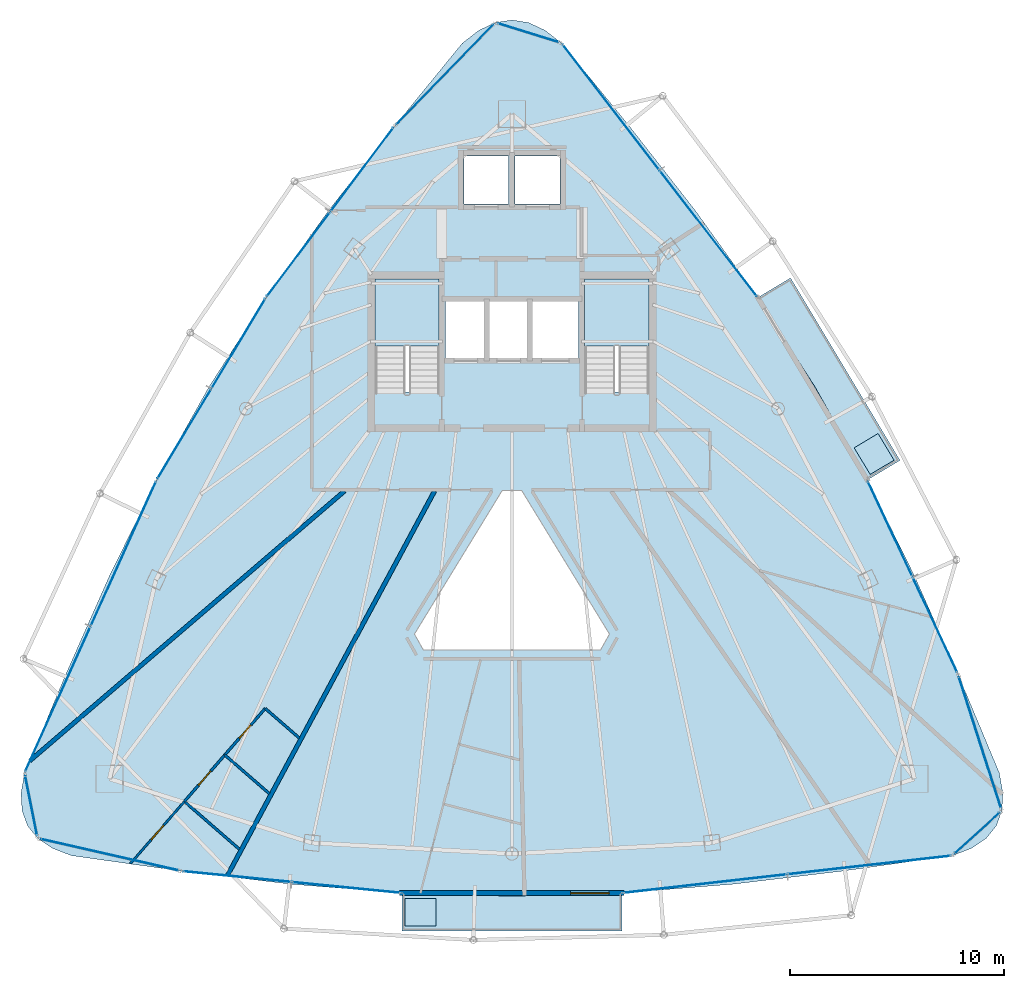
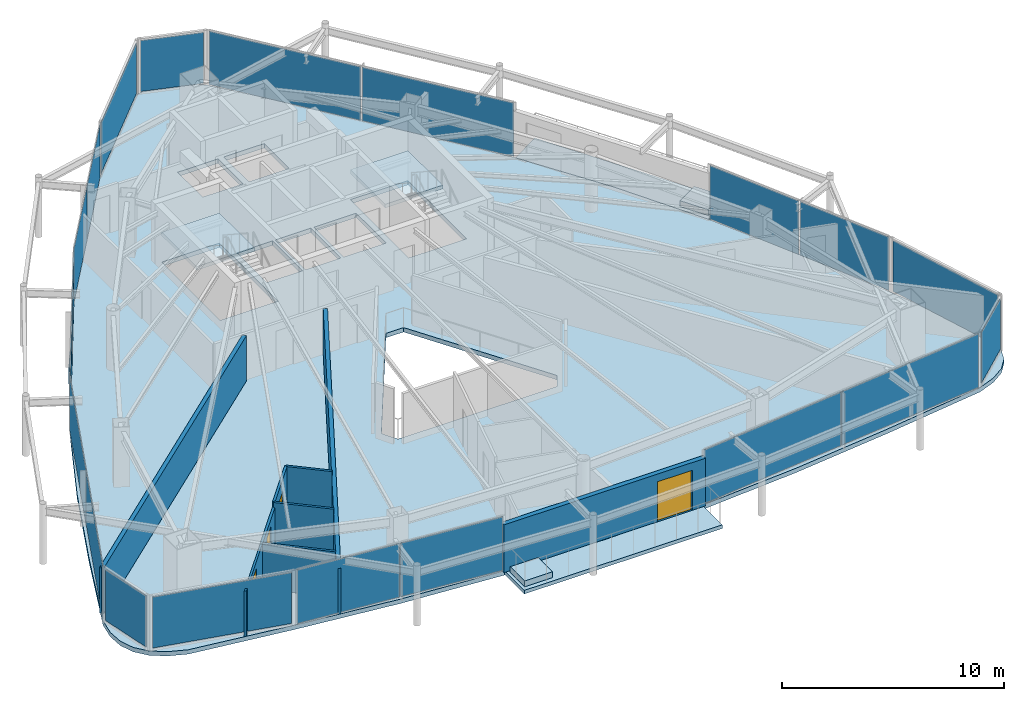
# One storey, part 25 of 30: 20 plates, 9 walls, 7 slabs, 4 doors, 4 openings, 15 elements without a shape of their own.
"""IFC4 building model written with IfcOpenShell, lengths in metres."""

from ifc_helpers import new_model, si_unit, direction, frame, frame_2d, origin, origin_2d, place, context, subcontext, project, spatial, polyline, rectangle, outline, extrude, material, layer, layer_set, type_object, element, fill, aggregate, save


model = new_model("IFC4")

# Units and contexts
model_context = context("Model", 3, precision=1e-05, world=origin(), true_north=direction((0.0, 1.0)))
body_context = subcontext(model_context, "Body", "Model", "MODEL_VIEW")
ifc_project = project(units=[si_unit("LENGTHUNIT", "METRE"), si_unit("AREAUNIT", "SQUARE_METRE"), si_unit("VOLUMEUNIT", "CUBIC_METRE"), si_unit("PLANEANGLEUNIT", "RADIAN"), si_unit("MASSUNIT", "GRAM", prefix="KILO")], contexts=[model_context])

# Site, building, storey
site_placement = place(None, origin())
site = spatial("IfcSite", under=ifc_project, at=site_placement, CompositionType="ELEMENT")
building_placement = place(site_placement, origin())
building = spatial("IfcBuilding", under=site, at=building_placement, Name="Orvanel Arch Residences", CompositionType="ELEMENT")
storey_placement = place(building_placement, frame((0.0, 0.0, 229.39990234375)))
storey = spatial("IfcBuildingStorey", under=building, at=storey_placement, Name="L65", CompositionType="ELEMENT", Elevation=229.39990234375)

# Curtain wall, plates
ifc_material_1 = material(Name="Bronze-anodised aluminium AA6063-T6", Category="aluminium")
ifc_layer_1 = layer(ifc_material_1, 0.175048828125)
ifc_layer_set_1 = layer_set([ifc_layer_1], Name="Bronze-anodised aluminium AA6063-T6")
curtain_wall_type_1 = type_object("IfcCurtainWallType", Name="CW4-HI-SYS", PredefinedType="NOTDEFINED", material=ifc_layer_set_1)
curtain_wall_1_placement = place(storey_placement, origin())
curtain_wall_1 = element("IfcCurtainWall", 1, at=curtain_wall_1_placement, inside=storey, type_object=curtain_wall_type_1, Name="L65 CW4-HI-SYS Unitised Curtain Wall", PredefinedType="NOTDEFINED")
ifc_material_2 = material(Name="Double-glazed solar-control low-E safety glass", Category="glass")
ifc_layer_2 = layer(ifc_material_2, 0.028076171875)
ifc_layer_set_2 = layer_set([ifc_layer_2], Name="Double-glazed solar-control low-E safety glass")
plate_type_1 = type_object("IfcPlateType", Name="PNL-GLZ-28", PredefinedType="CURTAIN_PANEL", material=ifc_layer_set_2)
plate_1_placement = place(storey_placement, frame((25.989990234375, 38.805908203125, 0.06005859375), z_axis=(0.0, 0.0, 1.0), x_axis=(-0.599485313473, -0.800385756327, 0.0)))
plate_1 = element("IfcPlate", 2, at=plate_1_placement, type_object=plate_type_1, Name="CW-S4 panel 1.1", PredefinedType="CURTAIN_PANEL", context=body_context, shape_type="SweptSolid", body=[
    extrude(rectangle(XDim=4.877685546875, YDim=0.028076171875, at=origin_2d()), origin(), (0.0, 0.0, 1.0), 2.93994140625),
])
plate_2_placement = place(storey_placement, frame((23.027099609375, 34.85009765625, 0.06005859375), z_axis=(0.0, 0.0, 1.0), x_axis=(-0.599485313473, -0.800385756327, 0.0)))
plate_2 = element("IfcPlate", 3, at=plate_2_placement, type_object=plate_type_1, Name="CW-S4 panel 2.1", PredefinedType="CURTAIN_PANEL", context=body_context, shape_type="SweptSolid", body=[
    extrude(rectangle(XDim=4.877685546875, YDim=0.028076171875, at=origin_2d()), origin(), (0.0, 0.0, 1.0), 2.93994140625),
])
aggregate(curtain_wall_1, [plate_1, plate_2])

curtain_wall_2_placement = place(storey_placement, origin())
curtain_wall_2 = element("IfcCurtainWall", 4, at=curtain_wall_2_placement, inside=storey, type_object=curtain_wall_type_1, Name="L65 CW4-HI-SYS Unitised Curtain Wall", PredefinedType="NOTDEFINED")
plate_3_placement = place(storey_placement, frame((20.22265625, 30.677001953125, 0.06005859375), z_axis=(0.0, 0.0, 1.0), x_axis=(-0.514436325748, -0.857528580719, 0.0)))
plate_3 = element("IfcPlate", 5, at=plate_3_placement, type_object=plate_type_1, Name="CW-S4 panel 1.1", PredefinedType="CURTAIN_PANEL", context=body_context, shape_type="SweptSolid", body=[
    extrude(rectangle(XDim=4.8515625, YDim=0.028076171875, at=origin_2d()), origin(), (0.0, 0.0, 1.0), 2.93994140625),
])
plate_4_placement = place(storey_placement, frame((17.693359375, 26.4609375, 0.06005859375), z_axis=(0.0, 0.0, 1.0), x_axis=(-0.514436325748, -0.857528580719, 0.0)))
plate_4 = element("IfcPlate", 6, at=plate_4_placement, type_object=plate_type_1, Name="CW-S4 panel 2.1", PredefinedType="CURTAIN_PANEL", context=body_context, shape_type="SweptSolid", body=[
    extrude(rectangle(XDim=4.8515625, YDim=0.028076171875, at=origin_2d()), origin(), (0.0, 0.0, 1.0), 2.93994140625),
])
aggregate(curtain_wall_2, [plate_3, plate_4])

curtain_wall_3_placement = place(storey_placement, origin())
curtain_wall_3 = element("IfcCurtainWall", 7, at=curtain_wall_3_placement, inside=storey, type_object=curtain_wall_type_1, Name="L65 CW4-HI-SYS Unitised Curtain Wall", PredefinedType="NOTDEFINED")
plate_5_placement = place(storey_placement, frame((14.848876953125, 20.864013671875, 0.06005859375), z_axis=(0.0, 0.0, 1.0), x_axis=(-0.411128435335, -0.911577429328, 0.0)))
plate_5 = element("IfcPlate", 8, at=plate_5_placement, type_object=plate_type_1, Name="CW-S4 panel 1.1", PredefinedType="CURTAIN_PANEL", context=body_context, shape_type="SweptSolid", body=[
    extrude(rectangle(XDim=7.38671875, YDim=0.028076171875, at=origin_2d()), origin(), (0.0, 0.0, 1.0), 2.93994140625),
])
plate_6_placement = place(storey_placement, frame((11.78515625, 14.071044921875, 0.06005859375), z_axis=(0.0, 0.0, 1.0), x_axis=(-0.411128435335, -0.911577429328, 0.0)))
plate_6 = element("IfcPlate", 9, at=plate_6_placement, type_object=plate_type_1, Name="CW-S4 panel 2.1", PredefinedType="CURTAIN_PANEL", context=body_context, shape_type="SweptSolid", body=[
    extrude(rectangle(XDim=7.38671875, YDim=0.028076171875, at=origin_2d()), origin(), (0.0, 0.0, 1.0), 2.93994140625),
])
aggregate(curtain_wall_3, [plate_5, plate_6])

curtain_wall_4_placement = place(storey_placement, origin())
curtain_wall_4 = element("IfcCurtainWall", 10, at=curtain_wall_4_placement, inside=storey, type_object=curtain_wall_type_1, Name="L65 CW4-HI-SYS Unitised Curtain Wall", PredefinedType="NOTDEFINED")
plate_7_placement = place(storey_placement, frame((20.16552734375, 5.7763671875, 0.06005859375), z_axis=(0.0, 0.0, 1.0), x_axis=(0.995084182204, -0.099032673027, 0.0)))
plate_7 = element("IfcPlate", 11, at=plate_7_placement, type_object=plate_type_1, Name="CW-S4 panel 1.1", PredefinedType="CURTAIN_PANEL", context=body_context, shape_type="SweptSolid", body=[
    extrude(rectangle(XDim=5.05224609375, YDim=0.028076171875, at=origin_2d()), origin(), (0.0, 0.0, 1.0), 2.93994140625),
])
plate_8_placement = place(storey_placement, frame((25.257568359375, 5.26953125, 0.06005859375), z_axis=(0.0, 0.0, 1.0), x_axis=(0.995084182204, -0.099032673027, 0.0)))
plate_8 = element("IfcPlate", 12, at=plate_8_placement, type_object=plate_type_1, Name="CW-S4 panel 2.1", PredefinedType="CURTAIN_PANEL", context=body_context, shape_type="SweptSolid", body=[
    extrude(rectangle(XDim=5.05224609375, YDim=0.028076171875, at=origin_2d()), origin(), (0.0, 0.0, 1.0), 2.93994140625),
])
aggregate(curtain_wall_4, [plate_7, plate_8])

curtain_wall_5_placement = place(storey_placement, origin())
curtain_wall_5 = element("IfcCurtainWall", 13, at=curtain_wall_5_placement, inside=storey, type_object=curtain_wall_type_1, Name="L65 CW4-HI-SYS Unitised Curtain Wall", PredefinedType="NOTDEFINED")
plate_9_placement = place(storey_placement, frame((42.0283203125, 5.450927734375, 0.06005859375), z_axis=(0.0, 0.0, 1.0), x_axis=(0.993642890196, 0.112578003012, 0.0)))
plate_9 = element("IfcPlate", 14, at=plate_9_placement, type_object=plate_type_1, Name="CW-S4 panel 1.1", PredefinedType="CURTAIN_PANEL", context=body_context, shape_type="SweptSolid", body=[
    extrude(rectangle(XDim=7.648193359375, YDim=0.028076171875, at=origin_2d()), origin(), (0.0, 0.0, 1.0), 2.93994140625),
])
plate_10_placement = place(storey_placement, frame((49.692626953125, 6.319091796875, 0.06005859375), z_axis=(0.0, 0.0, 1.0), x_axis=(0.993642890196, 0.112578003012, 0.0)))
plate_10 = element("IfcPlate", 15, at=plate_10_placement, type_object=plate_type_1, Name="CW-S4 panel 2.1", PredefinedType="CURTAIN_PANEL", context=body_context, shape_type="SweptSolid", body=[
    extrude(rectangle(XDim=7.648193359375, YDim=0.028076171875, at=origin_2d()), origin(), (0.0, 0.0, 1.0), 2.93994140625),
])
aggregate(curtain_wall_5, [plate_9, plate_10])

curtain_wall_6_placement = place(storey_placement, origin())
curtain_wall_6 = element("IfcCurtainWall", 16, at=curtain_wall_6_placement, inside=storey, type_object=curtain_wall_type_1, Name="L65 CW4-HI-SYS Unitised Curtain Wall", PredefinedType="NOTDEFINED")
plate_11_placement = place(storey_placement, frame((52.7626953125, 17.545654296875, 0.06005859375), z_axis=(0.0, 0.0, 1.0), x_axis=(-0.423908533978, 0.905705004304, 0.0)))
plate_11 = element("IfcPlate", 17, at=plate_11_placement, type_object=plate_type_1, Name="CW-S4 panel 1.1", PredefinedType="CURTAIN_PANEL", context=body_context, shape_type="SweptSolid", body=[
    extrude(rectangle(XDim=4.877685546875, YDim=0.028076171875, at=origin_2d()), origin(), (0.0, 0.0, 1.0), 2.93994140625),
])
plate_12_placement = place(storey_placement, frame((50.66748046875, 22.022216796875, 0.06005859375), z_axis=(0.0, 0.0, 1.0), x_axis=(-0.423908533978, 0.905705004304, 0.0)))
plate_12 = element("IfcPlate", 18, at=plate_12_placement, type_object=plate_type_1, Name="CW-S4 panel 2.1", PredefinedType="CURTAIN_PANEL", context=body_context, shape_type="SweptSolid", body=[
    extrude(rectangle(XDim=4.877685546875, YDim=0.028076171875, at=origin_2d()), origin(), (0.0, 0.0, 1.0), 2.93994140625),
])
aggregate(curtain_wall_6, [plate_11, plate_12])

curtain_wall_7_placement = place(storey_placement, origin())
curtain_wall_7 = element("IfcCurtainWall", 19, at=curtain_wall_7_placement, inside=storey, type_object=curtain_wall_type_1, Name="L65 CW4-HI-SYS Unitised Curtain Wall", PredefinedType="NOTDEFINED")
plate_13_placement = place(storey_placement, frame((42.1787109375, 35.82177734375, 0.06005859375), z_axis=(0.0, 0.0, 1.0), x_axis=(-0.610720877294, 0.791845950951, 0.0)))
plate_13 = element("IfcPlate", 20, at=plate_13_placement, type_object=plate_type_1, Name="CW-S4 panel 1.1", PredefinedType="CURTAIN_PANEL", context=body_context, shape_type="SweptSolid", body=[
    extrude(rectangle(XDim=7.38623046875, YDim=0.028076171875, at=origin_2d()), origin(), (0.0, 0.0, 1.0), 2.93994140625),
])
plate_14_placement = place(storey_placement, frame((37.628173828125, 41.72216796875, 0.06005859375), z_axis=(0.0, 0.0, 1.0), x_axis=(-0.610720877294, 0.791845950951, 0.0)))
plate_14 = element("IfcPlate", 21, at=plate_14_placement, type_object=plate_type_1, Name="CW-S4 panel 2.1", PredefinedType="CURTAIN_PANEL", context=body_context, shape_type="SweptSolid", body=[
    extrude(rectangle(XDim=7.38623046875, YDim=0.028076171875, at=origin_2d()), origin(), (0.0, 0.0, 1.0), 2.93994140625),
])
aggregate(curtain_wall_7, [plate_13, plate_14])

# Curtain wall, plate
ifc_layer_3 = layer(ifc_material_1, 0.18994140625)
ifc_layer_set_3 = layer_set([ifc_layer_3], Name="Bronze-anodised aluminium AA6063-T6")
curtain_wall_type_2 = type_object("IfcCurtainWallType", Name="CW5-CRN-SYS", PredefinedType="NOTDEFINED", material=ifc_layer_set_3)
curtain_wall_8_placement = place(storey_placement, origin())
curtain_wall_8 = element("IfcCurtainWall", 22, at=curtain_wall_8_placement, inside=storey, type_object=curtain_wall_type_2, Name="L65 CW5-CRN-SYS Unitised Curtain Wall", PredefinedType="NOTDEFINED")
ifc_layer_4 = layer(ifc_material_2, 0.031982421875)
ifc_layer_set_4 = layer_set([ifc_layer_4], Name="Double-glazed solar-control low-E safety glass")
plate_type_2 = type_object("IfcPlateType", Name="PNL-GLZ-32", PredefinedType="CURTAIN_PANEL", material=ifc_layer_set_4)
plate_15_placement = place(storey_placement, frame((33.77392578125, 45.195556640625, 0.1298828125), z_axis=(0.0, 0.0, 1.0), x_axis=(-0.954835109366, 0.297136187501, 0.0)))
plate_15 = element("IfcPlate", 23, at=plate_15_placement, type_object=plate_type_2, Name="CW-S5 panel 1.1", PredefinedType="CURTAIN_PANEL", context=body_context, shape_type="SweptSolid", body=[
    extrude(rectangle(XDim=2.900634765625, YDim=0.031982421875, at=origin_2d()), origin(), (0.0, 0.0, 1.0), 2.800048828125),
])
aggregate(curtain_wall_8, [plate_15])

curtain_wall_9_placement = place(storey_placement, origin())
curtain_wall_9 = element("IfcCurtainWall", 24, at=curtain_wall_9_placement, inside=storey, type_object=curtain_wall_type_2, Name="L65 CW5-CRN-SYS Unitised Curtain Wall", PredefinedType="NOTDEFINED")
plate_16_placement = place(storey_placement, frame((29.864990234375, 43.25146484375, 0.1298828125), z_axis=(0.0, 0.0, 1.0), x_axis=(-0.697610662802, -0.716477049978, 0.0)))
plate_16 = element("IfcPlate", 25, at=plate_16_placement, type_object=plate_type_2, Name="CW-S5 panel 1.1", PredefinedType="CURTAIN_PANEL", context=body_context, shape_type="SweptSolid", body=[
    extrude(rectangle(XDim=6.431640625, YDim=0.031982421875, at=origin_2d()), origin(), (0.0, 0.0, 1.0), 2.800048828125),
])
aggregate(curtain_wall_9, [plate_16])

curtain_wall_10_placement = place(storey_placement, origin())
curtain_wall_10 = element("IfcCurtainWall", 26, at=curtain_wall_10_placement, inside=storey, type_object=curtain_wall_type_2, Name="L65 CW5-CRN-SYS Unitised Curtain Wall", PredefinedType="NOTDEFINED")
plate_17_placement = place(storey_placement, frame((10.53759765625, 9.096923828125, 0.1298828125), z_axis=(0.0, 0.0, 1.0), x_axis=(0.195803898032, -0.980643071416, 0.0)))
plate_17 = element("IfcPlate", 27, at=plate_17_placement, type_object=plate_type_2, Name="CW-S5 panel 1.1", PredefinedType="CURTAIN_PANEL", context=body_context, shape_type="SweptSolid", body=[
    extrude(rectangle(XDim=2.779541015625, YDim=0.031982421875, at=origin_2d()), origin(), (0.0, 0.0, 1.0), 2.800048828125),
])
aggregate(curtain_wall_10, [plate_17])

curtain_wall_11_placement = place(storey_placement, origin())
curtain_wall_11 = element("IfcCurtainWall", 28, at=curtain_wall_11_placement, inside=storey, type_object=curtain_wall_type_2, Name="L65 CW5-CRN-SYS Unitised Curtain Wall", PredefinedType="NOTDEFINED")
plate_18_placement = place(storey_placement, frame((14.205078125, 6.801025390625, 0.1298828125), z_axis=(0.0, 0.0, 1.0), x_axis=(0.974977866767, -0.222301955264, 0.0)))
plate_18 = element("IfcPlate", 29, at=plate_18_placement, type_object=plate_type_2, Name="CW-S5 panel 1.1", PredefinedType="CURTAIN_PANEL", context=body_context, shape_type="SweptSolid", body=[
    extrude(rectangle(XDim=6.555419921875, YDim=0.031982421875, at=origin_2d()), origin(), (0.0, 0.0, 1.0), 2.800048828125),
])
aggregate(curtain_wall_11, [plate_18])

curtain_wall_12_placement = place(storey_placement, origin())
curtain_wall_12 = element("IfcCurtainWall", 30, at=curtain_wall_12_placement, inside=storey, type_object=curtain_wall_type_2, Name="L65 CW5-CRN-SYS Unitised Curtain Wall", PredefinedType="NOTDEFINED")
plate_19_placement = place(storey_placement, frame((54.73193359375, 7.8076171875, 0.1298828125), z_axis=(0.0, 0.0, 1.0), x_axis=(0.740219127016, 0.672365707037, 0.0)))
plate_19 = element("IfcPlate", 31, at=plate_19_placement, type_object=plate_type_2, Name="CW-S5 panel 1.1", PredefinedType="CURTAIN_PANEL", context=body_context, shape_type="SweptSolid", body=[
    extrude(rectangle(XDim=2.7802734375, YDim=0.031982421875, at=origin_2d()), origin(), (0.0, 0.0, 1.0), 2.800048828125),
])
aggregate(curtain_wall_12, [plate_19])

curtain_wall_13_placement = place(storey_placement, origin())
curtain_wall_13 = element("IfcCurtainWall", 32, at=curtain_wall_13_placement, inside=storey, type_object=curtain_wall_type_2, Name="L65 CW5-CRN-SYS Unitised Curtain Wall", PredefinedType="NOTDEFINED")
plate_20_placement = place(storey_placement, frame((54.859619140625, 12.05810546875, 0.1298828125), z_axis=(0.0, 0.0, 1.0), x_axis=(-0.305573404151, 0.952168522204, 0.0)))
plate_20 = element("IfcPlate", 33, at=plate_20_placement, type_object=plate_type_2, Name="CW-S5 panel 1.1", PredefinedType="CURTAIN_PANEL", context=body_context, shape_type="SweptSolid", body=[
    extrude(rectangle(XDim=6.3857421875, YDim=0.031982421875, at=origin_2d()), origin(), (0.0, 0.0, 1.0), 2.800048828125),
])
aggregate(curtain_wall_13, [plate_20])

# Slabs
ifc_material_3 = material(Name="Concrete N40 (40 MPa)", Category="concrete")
ifc_layer_5 = layer(ifc_material_3, 0.199951171875)
ifc_layer_set_5 = layer_set([ifc_layer_5], Name="Concrete N40 (40 MPa)")
slab_type_1 = type_object("IfcSlabType", Name="SLB-BAL-200", PredefinedType="FLOOR", material=ifc_layer_set_5)
slab_1_placement = place(storey_placement, frame((0.0, 0.0, -0.199951171875)))
element("IfcSlab", 34, at=slab_1_placement, inside=storey, type_object=slab_type_1, Name="L65 Cantilevered Balcony Slab Face 2", PredefinedType="FLOOR", context=body_context, shape_type="SweptSolid", body=[
    extrude(outline(polyline([(27.85595703125, 3.23095703125), (38.14404296875, 3.23095703125), (38.14404296875, 5.010986328125), (33.0, 4.867919921875), (27.85595703125, 5.010986328125), (27.85595703125, 3.23095703125)])), origin(), (0.0, 0.0, 1.0), 0.199951171875),
])
slab_2_placement = place(storey_placement, frame((0.0, 0.0, -0.199951171875)))
element("IfcSlab", 35, at=slab_2_placement, inside=storey, type_object=slab_type_1, Name="L65 Cantilevered Balcony Slab Face 3", PredefinedType="FLOOR", context=body_context, shape_type="SweptSolid", body=[
    extrude(outline(polyline([(51.125, 25.22412109375), (46.012939453125, 33.74609375), (44.486083984375, 32.830078125), (47.166015625, 28.64306640625), (49.597900390625, 24.30810546875), (51.125, 25.22412109375)])), origin(), (0.0, 0.0, 1.0), 0.199951171875),
])

# Stair, slab
ifc_material_4 = material(Name="Precast concrete N50 (50 MPa)", Category="concrete")
stair_type = type_object("IfcStairType", Name="STR-DOG-184", PredefinedType="USERDEFINED", material=ifc_material_4)
stair_1_placement = place(storey_placement, origin())
stair_1 = element("IfcStair", 36, at=stair_1_placement, inside=storey, type_object=stair_type, Name="L65 Fire-Isolated Core Exit Stair 1", ObjectType="TWO_RETURN_STAIR", PredefinedType="USERDEFINED")
ifc_layer_6 = layer(ifc_material_3, 0.199951171875)
ifc_layer_set_6 = layer_set([ifc_layer_6], Name="Concrete N40 (40 MPa)")
slab_type_2 = type_object("IfcSlabType", Name="SLB-LND-200", PredefinedType="LANDING", material=ifc_layer_set_6)
slab_3_placement = place(storey_placement, frame((0.0, 0.0, 1.4501953125)))
slab_3 = element("IfcSlab", 37, at=slab_3_placement, type_object=slab_type_2, Name="ST-1 landing 1", PredefinedType="LANDING", context=body_context, shape_type="SweptSolid", body=[
    extrude(outline(polyline([(29.60009765625, 30.56005859375), (29.60009765625, 33.699951171875), (26.60009765625, 33.699951171875), (26.60009765625, 30.56005859375), (29.60009765625, 30.56005859375)])), origin(), (0.0, 0.0, 1.0), 0.199951171875),
])
aggregate(stair_1, [slab_3])

stair_2_placement = place(storey_placement, origin())
stair_2 = element("IfcStair", 38, at=stair_2_placement, inside=storey, type_object=stair_type, Name="L65 Fire-Isolated Core Exit Stair 2", ObjectType="TWO_RETURN_STAIR", PredefinedType="USERDEFINED")
slab_4_placement = place(storey_placement, frame((0.0, 0.0, 1.4501953125)))
slab_4 = element("IfcSlab", 39, at=slab_4_placement, type_object=slab_type_2, Name="ST-2 landing 1", PredefinedType="LANDING", context=body_context, shape_type="SweptSolid", body=[
    extrude(outline(polyline([(39.39990234375, 30.56005859375), (39.39990234375, 33.699951171875), (36.39990234375, 33.699951171875), (36.39990234375, 30.56005859375), (39.39990234375, 30.56005859375)])), origin(), (0.0, 0.0, 1.0), 0.199951171875),
])
aggregate(stair_2, [slab_4])

# Slabs
ifc_material_5 = material(Name="Structural architectural precast concrete N40 (40 MPa) planter", Category="concrete")
ifc_layer_7 = layer(ifc_material_5, 0.320068359375)
ifc_layer_set_7 = layer_set([ifc_layer_7], Name="Structural architectural precast concrete N40 (40 MPa) planter")
slab_type_3 = type_object("IfcSlabType", Name="SLB-PLN-320", PredefinedType="USERDEFINED", material=ifc_layer_set_7)
slab_5_placement = place(storey_placement, origin())
element("IfcSlab", 40, at=slab_5_placement, inside=storey, type_object=slab_type_3, Name="L65 Balcony TREE PLANTER Face 2", ObjectType="PLANTER", PredefinedType="USERDEFINED", context=body_context, shape_type="SweptSolid", body=[
    extrude(outline(polyline([(28.006103515625, 3.4619140625), (29.4560546875, 3.4619140625), (29.4560546875, 4.760986328125), (28.006103515625, 4.760986328125), (28.006103515625, 3.4619140625)])), origin(), (0.0, 0.0, 1.0), 0.320068359375),
])
slab_6_placement = place(storey_placement, origin())
element("IfcSlab", 41, at=slab_6_placement, inside=storey, type_object=slab_type_3, Name="L65 Balcony TREE PLANTER Face 3", ObjectType="PLANTER", PredefinedType="USERDEFINED", context=body_context, shape_type="SweptSolid", body=[
    extrude(outline(polyline([(50.85009765625, 25.23388671875), (50.10400390625, 26.47802734375), (48.989013671875, 25.80908203125), (49.735107421875, 24.56591796875), (50.85009765625, 25.23388671875)])), origin(), (0.0, 0.0, 1.0), 0.320068359375),
])
ifc_layer_8 = layer(ifc_material_3, 0.239990234375)
ifc_layer_set_8 = layer_set([ifc_layer_8], Name="Concrete N40 (40 MPa)")
slab_type_4 = type_object("IfcSlabType", Name="SLB-TYP-240", PredefinedType="FLOOR", material=ifc_layer_set_8)
slab_7_placement = place(storey_placement, frame((0.0, 0.0, -0.239990234375)))
element("IfcSlab", 42, at=slab_7_placement, inside=storey, type_object=slab_type_4, Name="L65 Tower Floor Slab", PredefinedType="FLOOR", context=body_context, shape_type="SweptSolid", body=[
    extrude(outline(polyline([(35.321044921875, 44.714111328125), (34.547119140625, 45.31591796875), (33.77294921875, 45.677001953125), (33.0, 45.797119140625), (32.22705078125, 45.677001953125), (31.452880859375, 45.31591796875), (30.678955078125, 44.714111328125), (27.5029296875, 40.825927734375), (24.4208984375, 36.8798828125), (21.513916015625, 32.830078125), (18.833984375, 28.64306640625), (16.402099609375, 24.30810546875), (14.197998046875, 19.8369140625), (12.16796875, 15.260009765625), (10.23193359375, 10.626953125), (10.06591796875, 9.681884765625), (10.113037109375, 8.85595703125), (10.37109375, 8.15087890625), (10.843017578125, 7.56689453125), (11.527099609375, 7.10302734375), (12.423095703125, 6.759033203125), (17.56689453125, 6.034912109375), (22.7119140625, 5.4208984375), (27.85595703125, 5.010986328125), (33.0, 4.867919921875), (38.14404296875, 5.010986328125), (43.2880859375, 5.4208984375), (48.43310546875, 6.034912109375), (53.576904296875, 6.759033203125), (54.472900390625, 7.10302734375), (55.156982421875, 7.56689453125), (55.62890625, 8.15087890625), (55.886962890625, 8.85595703125), (55.93408203125, 9.681884765625), (55.76708984375, 10.626953125), (53.83203125, 15.260009765625), (51.802001953125, 19.8369140625), (49.597900390625, 24.30810546875), (47.166015625, 28.64306640625), (44.486083984375, 32.830078125), (41.5791015625, 36.8798828125), (38.4970703125, 40.825927734375), (35.321044921875, 44.714111328125)]), holes=[polyline([(26.60009765625, 28.429931640625), (26.60009765625, 33.699951171875), (29.60009765625, 33.699951171875), (29.60009765625, 28.429931640625), (26.60009765625, 28.429931640625)]), polyline([(36.39990234375, 28.429931640625), (36.39990234375, 33.699951171875), (39.39990234375, 33.699951171875), (39.39990234375, 28.429931640625), (36.39990234375, 28.429931640625)]), polyline([(29.89990234375, 32.64990234375), (31.75, 32.64990234375), (31.75, 29.949951171875), (29.89990234375, 29.949951171875), (29.89990234375, 32.64990234375)]), polyline([(31.89990234375, 32.64990234375), (33.75, 32.64990234375), (33.75, 29.949951171875), (31.89990234375, 29.949951171875), (31.89990234375, 32.64990234375)]), polyline([(33.89990234375, 32.64990234375), (36.10009765625, 32.64990234375), (36.10009765625, 29.949951171875), (33.89990234375, 29.949951171875), (33.89990234375, 32.64990234375)]), polyline([(30.75, 39.449951171875), (32.85009765625, 39.449951171875), (32.85009765625, 37.199951171875), (30.75, 37.199951171875), (30.75, 39.449951171875)]), polyline([(33.14990234375, 39.449951171875), (35.25, 39.449951171875), (35.25, 37.199951171875), (33.14990234375, 37.199951171875), (33.14990234375, 39.449951171875)]), polyline([(37.555908203125, 17.110107421875), (37.132080078125, 16.35498046875), (28.867919921875, 16.35498046875), (28.444091796875, 17.110107421875), (32.5380859375, 23.806884765625), (33.4619140625, 23.806884765625), (37.555908203125, 17.110107421875)])]), origin(), (0.0, 0.0, 1.0), 0.239990234375),
])

# Wall, opening, door
ifc_layer_9 = layer(ifc_material_4, 0.239990234375)
ifc_layer_set_9 = layer_set([ifc_layer_9], Name="Precast concrete N50 (50 MPa)")
wall_type_1 = type_object("IfcWallType", Name="EW-BAL-240", PredefinedType="SOLIDWALL", material=ifc_layer_set_9)
wall_1_placement = place(storey_placement, frame((27.758056640625, 5.010986328125, 0.0), z_axis=(0.0, 0.0, 1.0), x_axis=(1.0, 0.0, 0.0)))
wall_1 = element("IfcWall", 43, at=wall_1_placement, inside=storey, type_object=wall_type_1, Name="L65 Balcony Threshold Wall Face 2", PredefinedType="SOLIDWALL", context=body_context, shape_type="SweptSolid", body=[
    extrude(rectangle(XDim=10.48388671875, YDim=0.239990234375, at=frame_2d((5.241943359375, 0.0))), origin(), (0.0, 0.0, 1.0), 2.6240234375),
])
opening_1_placement = place(wall_1_placement, frame((7.986083984375, 0.0, 0.0)))
opening_1 = element("IfcOpeningElement", 44, at=opening_1_placement, cuts=wall_1, Name="Opening DB-180", PredefinedType="OPENING", context=body_context, shape_type="SweptSolid", body=[
    extrude(rectangle(XDim=1.800048828125, YDim=2.199951171875, at=frame_2d((0.89990234375, 1.10009765625))), frame((0.0, 0.1298828125, 0.0), z_axis=(0.0, -1.0, 0.0), x_axis=(1.0, 0.0, 0.0)), (0.0, 0.0, 1.0), 0.260009765625),
])
door_type_1 = type_object("IfcDoorType", Name="DR-BAL-1800", OperationType="NOTDEFINED", PredefinedType="DOOR", material=ifc_material_1)
door_1_placement = place(opening_1_placement, origin())
door_1 = element("IfcDoor", 45, at=door_1_placement, inside=storey, type_object=door_type_1, Name="DR-L65-BAL-F2 L65 Planted Balcony Access Door Face 2", OperationType="SINGLE_SWING_RIGHT", OverallHeight=2.199951171875, OverallWidth=1.800048828125, PredefinedType="DOOR", context=body_context, shape_type="SweptSolid", body=[
    extrude(rectangle(XDim=1.800048828125, YDim=2.199951171875, at=frame_2d((0.89990234375, 1.10009765625))), frame((0.0, 0.02490234375, 0.0), z_axis=(0.0, -1.0, 0.0), x_axis=(1.0, 0.0, 0.0)), (0.0, 0.0, 1.0), 0.050048828125),
])
fill(opening_1, door_1)

# Walls
ifc_material_6 = material(Name="Fire-rated plasterboard lined steel stud partition", Category="steel")
ifc_layer_10 = layer(ifc_material_6, 0.199951171875)
ifc_layer_set_10 = layer_set([ifc_layer_10], Name="Fire-rated plasterboard lined steel stud partition")
wall_type_2 = type_object("IfcWallType", Name="W-DEM-200", PredefinedType="PARTITIONING", material=ifc_layer_set_10)
wall_2_placement = place(storey_placement, frame((29.385009765625, 23.7900390625, 0.0), z_axis=(0.0, 0.0, 1.0), x_axis=(-0.474361203305, -0.880330306646, 0.0)))
element("IfcWall", 46, at=wall_2_placement, inside=storey, type_object=wall_type_2, Name="L65 Inter-Tenancy Acoustic Demising Wall", PredefinedType="PARTITIONING", context=body_context, shape_type="SweptSolid", body=[
    extrude(rectangle(XDim=20.440185546875, YDim=0.199951171875, at=frame_2d((10.22021484375, 0.0))), origin(), (0.0, 0.0, 1.0), 2.4921875),
])
wall_3_placement = place(storey_placement, frame((10.47509765625, 11.18994140625, 0.0), z_axis=(0.0, 0.0, 1.0), x_axis=(0.759210311249, 0.650845375871, 0.0)))
element("IfcWall", 47, at=wall_3_placement, inside=storey, type_object=wall_type_2, Name="L65 Inter-Tenancy Acoustic Demising Wall", PredefinedType="PARTITIONING", context=body_context, shape_type="SweptSolid", body=[
    extrude(rectangle(XDim=19.359619140625, YDim=0.199951171875, at=frame_2d((9.6796875, 0.0))), origin(), (0.0, 0.0, 1.0), 2.4921875),
])

# Wall, opening, door
ifc_material_7 = material(Name="Acoustic plasterboard lined twin-stud partition", Category="gypsum")
ifc_layer_11 = layer(ifc_material_7, 0.10009765625)
ifc_layer_set_11 = layer_set([ifc_layer_11], Name="Acoustic plasterboard lined twin-stud partition")
wall_type_3 = type_object("IfcWallType", Name="W-INT-100", PredefinedType="PARTITIONING", material=ifc_layer_set_11)
wall_4_placement = place(storey_placement, frame((17.697998046875, 9.2900390625, 0.0), z_axis=(0.0, 0.0, 1.0), x_axis=(-0.655874061554, -0.754870330176, 0.0)))
wall_4 = element("IfcWall", 48, at=wall_4_placement, inside=storey, type_object=wall_type_3, Name="L65 Studio B Internal Partition", PredefinedType="PARTITIONING", context=body_context, shape_type="SweptSolid", body=[
    extrude(rectangle(XDim=3.849609375, YDim=0.10009765625, at=frame_2d((1.9248046875, 0.0))), origin(), (0.0, 0.0, 1.0), 2.4921875),
])
opening_2_placement = place(wall_4_placement, frame((1.485107421875, 0.0, 0.0)))
opening_2 = element("IfcOpeningElement", 49, at=opening_2_placement, cuts=wall_4, Name="Opening DI-088", PredefinedType="OPENING", context=body_context, shape_type="SweptSolid", body=[
    extrude(rectangle(XDim=0.8798828125, YDim=2.10009765625, at=frame_2d((0.43994140625, 1.050048828125))), frame((0.0, 0.06005859375, 0.0), z_axis=(0.0, -1.0, 0.0), x_axis=(1.0, 0.0, 0.0)), (0.0, 0.0, 1.0), 0.1201171875),
])
ifc_material_8 = material(Name="Solid-core European oak veneer fire door leaf", Category="wood")
door_type_2 = type_object("IfcDoorType", Name="DR-INT-880", OperationType="NOTDEFINED", PredefinedType="DOOR", material=ifc_material_8)
door_2_placement = place(opening_2_placement, origin())
door_2 = element("IfcDoor", 50, at=door_2_placement, inside=storey, type_object=door_type_2, Name="DR-L65-B-OFC1 L65 Studio B Home Work Office 1 Door", OperationType="SINGLE_SWING_LEFT", OverallHeight=2.10009765625, OverallWidth=0.8798828125, PredefinedType="DOOR", context=body_context, shape_type="SweptSolid", body=[
    extrude(rectangle(XDim=0.8798828125, YDim=2.10009765625, at=frame_2d((0.43994140625, 1.050048828125))), frame((0.0, 0.02490234375, 0.0), z_axis=(0.0, -1.0, 0.0), x_axis=(1.0, 0.0, 0.0)), (0.0, 0.0, 1.0), 0.050048828125),
])
fill(opening_2, door_2)

# Wall
ifc_layer_12 = layer(ifc_material_7, 0.1201171875)
ifc_layer_set_12 = layer_set([ifc_layer_12], Name="Acoustic plasterboard lined twin-stud partition")
wall_type_4 = type_object("IfcWallType", Name="W-WET-120", PredefinedType="PARTITIONING", material=ifc_layer_set_12)
wall_5_placement = place(storey_placement, frame((23.070068359375, 12.2490234375, 0.0), z_axis=(0.0, 0.0, 1.0), x_axis=(-0.75504514731, 0.655672803709, 0.0)))
element("IfcWall", 51, at=wall_5_placement, inside=storey, type_object=wall_type_4, Name="L65 Studio B Bathroom Partition", PredefinedType="PARTITIONING", context=body_context, shape_type="SweptSolid", body=[
    extrude(rectangle(XDim=2.115234375, YDim=0.1201171875, at=frame_2d((1.0576171875, 0.0))), origin(), (0.0, 0.0, 1.0), 2.773193359375),
])

# Wall, opening, door
wall_6_placement = place(storey_placement, frame((21.472900390625, 13.635986328125, 0.0), z_axis=(0.0, 0.0, 1.0), x_axis=(-0.655840593364, -0.754899407932, 0.0)))
wall_6 = element("IfcWall", 52, at=wall_6_placement, inside=storey, type_object=wall_type_4, Name="L65 Studio B Bathroom Partition", PredefinedType="PARTITIONING", context=body_context, shape_type="SweptSolid", body=[
    extrude(rectangle(XDim=2.878662109375, YDim=0.1201171875, at=frame_2d((1.439453125, 0.0))), origin(), (0.0, 0.0, 1.0), 2.773193359375),
])
opening_3_placement = place(wall_6_placement, frame((1.029052734375, 0.0, 0.0)))
opening_3 = element("IfcOpeningElement", 53, at=opening_3_placement, cuts=wall_6, Name="Opening DW-082", PredefinedType="OPENING", context=body_context, shape_type="SweptSolid", body=[
    extrude(rectangle(XDim=0.820068359375, YDim=2.10009765625, at=frame_2d((0.41015625, 1.050048828125))), frame((0.0, 0.070068359375, 0.0), z_axis=(0.0, -1.0, 0.0), x_axis=(1.0, 0.0, 0.0)), (0.0, 0.0, 1.0), 0.14013671875),
])
door_type_3 = type_object("IfcDoorType", Name="DR-WET-820", OperationType="NOTDEFINED", PredefinedType="DOOR", material=ifc_material_8)
door_3_placement = place(opening_3_placement, origin())
door_3 = element("IfcDoor", 54, at=door_3_placement, inside=storey, type_object=door_type_3, Name="DR-L65-B-BATH L65 Studio B Bathroom Door", OperationType="SINGLE_SWING_RIGHT", OverallHeight=2.10009765625, OverallWidth=0.820068359375, PredefinedType="DOOR", context=body_context, shape_type="SweptSolid", body=[
    extrude(rectangle(XDim=0.820068359375, YDim=2.10009765625, at=frame_2d((0.41015625, 1.050048828125))), frame((0.0, 0.02490234375, 0.0), z_axis=(0.0, -1.0, 0.0), x_axis=(1.0, 0.0, 0.0)), (0.0, 0.0, 1.0), 0.050048828125),
])
fill(opening_3, door_3)

wall_7_placement = place(storey_placement, frame((19.5849609375, 11.462890625, 0.0), z_axis=(0.0, 0.0, 1.0), x_axis=(-0.655689200825, -0.755030907924, 0.0)))
wall_7 = element("IfcWall", 55, at=wall_7_placement, inside=storey, type_object=wall_type_4, Name="L65 Studio B Internal Partition", PredefinedType="PARTITIONING", context=body_context, shape_type="SweptSolid", body=[
    extrude(rectangle(XDim=2.8779296875, YDim=0.1201171875, at=frame_2d((1.43896484375, 0.0))), origin(), (0.0, 0.0, 1.0), 2.4921875),
])
opening_4_placement = place(wall_7_placement, frame((0.9990234375, 0.0, 0.0)))
opening_4 = element("IfcOpeningElement", 56, at=opening_4_placement, cuts=wall_7, Name="Opening DI-088", PredefinedType="OPENING", context=body_context, shape_type="SweptSolid", body=[
    extrude(rectangle(XDim=0.8798828125, YDim=2.10009765625, at=frame_2d((0.43994140625, 1.050048828125))), frame((0.0, 0.070068359375, 0.0), z_axis=(0.0, -1.0, 0.0), x_axis=(1.0, 0.0, 0.0)), (0.0, 0.0, 1.0), 0.14013671875),
])
door_4_placement = place(opening_4_placement, origin())
door_4 = element("IfcDoor", 57, at=door_4_placement, inside=storey, type_object=door_type_2, Name="DR-L65-B-KIT L65 Studio B Kitchenette Door", OperationType="SINGLE_SWING_LEFT", OverallHeight=2.10009765625, OverallWidth=0.8798828125, PredefinedType="DOOR", context=body_context, shape_type="SweptSolid", body=[
    extrude(rectangle(XDim=0.8798828125, YDim=2.10009765625, at=frame_2d((0.43994140625, 1.050048828125))), frame((0.0, 0.02490234375, 0.0), z_axis=(0.0, -1.0, 0.0), x_axis=(1.0, 0.0, 0.0)), (0.0, 0.0, 1.0), 0.050048828125),
])
fill(opening_4, door_4)

# Walls
wall_8_placement = place(storey_placement, frame((21.669921875, 9.652099609375, 0.0), z_axis=(0.0, 0.0, 1.0), x_axis=(-0.755003171317, 0.655721138367, 0.0)))
element("IfcWall", 58, at=wall_8_placement, inside=storey, type_object=wall_type_4, Name="L65 Studio B Bathroom Partition", PredefinedType="PARTITIONING", context=body_context, shape_type="SweptSolid", body=[
    extrude(rectangle(XDim=2.761474609375, YDim=0.1201171875, at=frame_2d((1.380859375, 0.0))), origin(), (0.0, 0.0, 1.0), 2.773193359375),
])
wall_9_placement = place(storey_placement, frame((20.27099609375, 7.054931640625, 0.0), z_axis=(0.0, 0.0, 1.0), x_axis=(-0.754936987289, 0.65579733548, 0.0)))
element("IfcWall", 59, at=wall_9_placement, inside=storey, type_object=wall_type_4, Name="L65 Studio B Internal Partition", PredefinedType="PARTITIONING", context=body_context, shape_type="SweptSolid", body=[
    extrude(rectangle(XDim=3.408203125, YDim=0.1201171875, at=frame_2d((1.7041015625, 0.0))), origin(), (0.0, 0.0, 1.0), 2.4921875),
])

save(model, "model.ifc")
